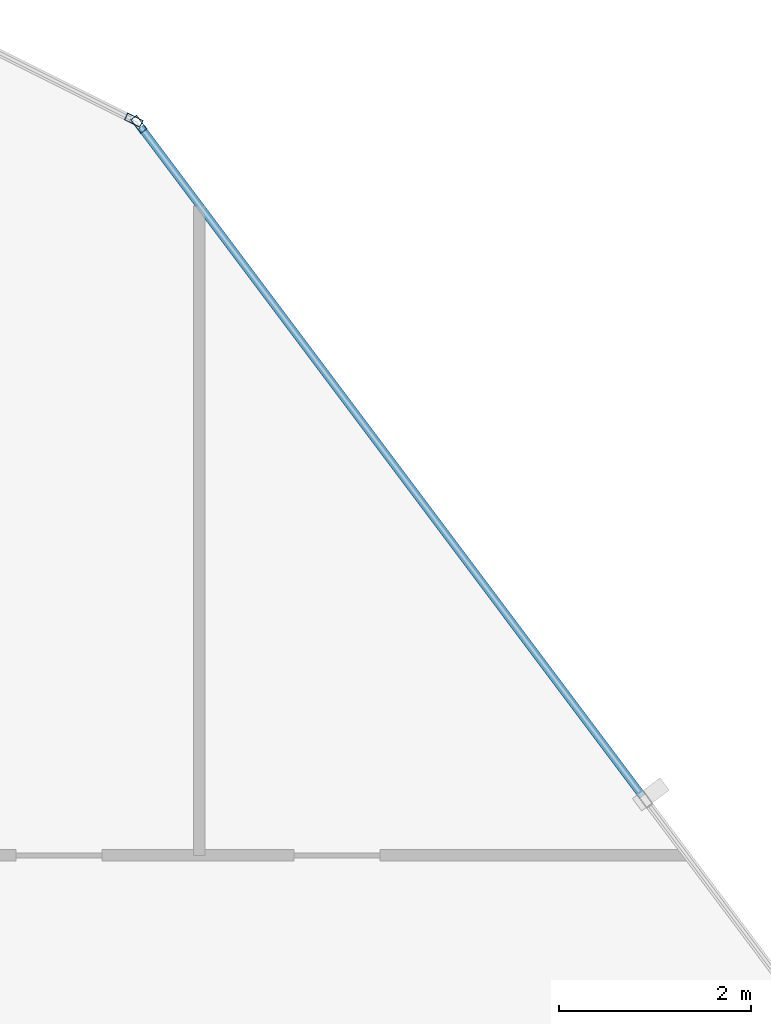
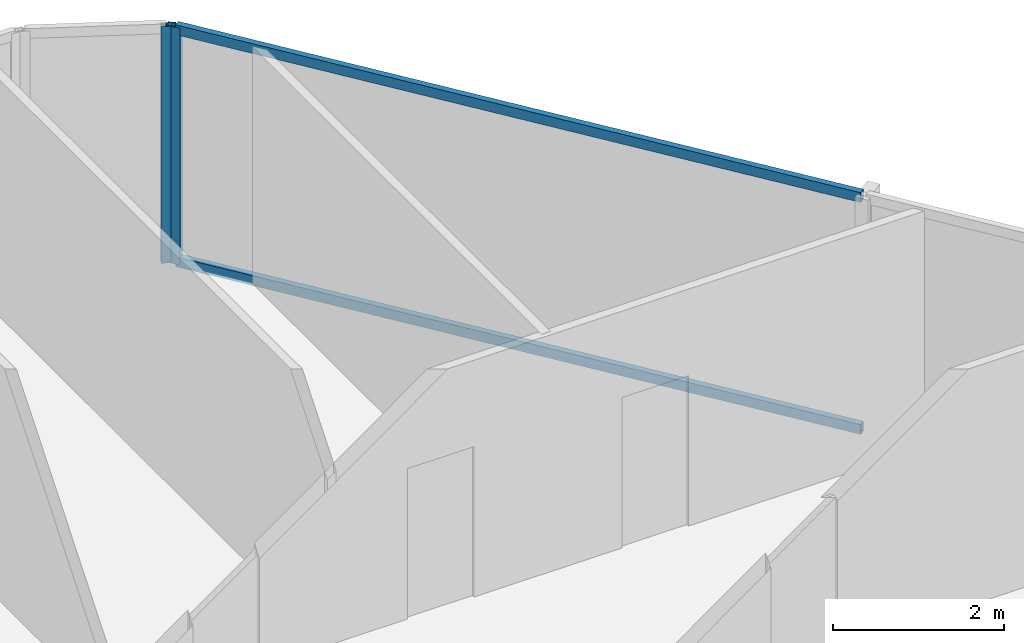
# One storey, part 22 of 31: 4 members, 2 elements without a shape of their own.
"""IFC4 building model written with IfcOpenShell, lengths in metres."""

import ifcopenshell
import ifcopenshell.guid

model = None  # the IFC model being written
_history = None  # IfcOwnerHistory: only IFC2X3 demands one
_inside = {}  # id of a spatial element -> (the spatial element, [elements in it])
_under = {}  # id of a project, library or spatial element -> (it, [spatial elements below it])
_declared = {}  # id of a project -> (the project, [libraries it declares])
_typed = {}  # id of a type object -> (the type object, [elements of that type])
_made_of = {}  # id of a material, layer set ... -> (it, [elements and type objects made of it])


def new_model(schema):
    """Start an empty IFC model of exactly this schema.

    Asked for "IFC4X3", IfcOpenShell would pick the latest addendum, in which some entities
    have other attributes; the version numbers below select the first issue.
    IFC2X3 requires an IfcOwnerHistory on every rooted entity: one is made here for all.
    """
    global model, _history
    if schema == "IFC4X3":
        model = ifcopenshell.file(schema_version=(4, 3, 0, 0))
    else:
        model = ifcopenshell.file(schema=schema)
    _inside.clear()
    _under.clear()
    _declared.clear()
    _typed.clear()
    _made_of.clear()
    _history = None
    if model.schema == "IFC2X3":
        org = make("IfcOrganization", Name="unknown")
        user = make(
            "IfcPersonAndOrganization",
            ThePerson=make("IfcPerson", FamilyName="unknown"),
            TheOrganization=org,
        )
        app = make(
            "IfcApplication",
            ApplicationDeveloper=org,
            Version="unknown",
            ApplicationFullName="unknown",
            ApplicationIdentifier="unknown",
        )
        _history = make(
            "IfcOwnerHistory",
            OwningUser=user,
            OwningApplication=app,
            ChangeAction="ADDED",
            CreationDate=0,
        )
    return model


def make(cls, **values):
    """One entity of the class cls with the attributes given. An attribute that is None is left unset."""
    return model.create_entity(
        cls, **{name: value for name, value in values.items() if value is not None}
    )


def rooted(cls, **values):
    """An entity with a GlobalId (a new one), such as an element, a storey or a relation."""
    return make(cls, GlobalId=ifcopenshell.guid.new(), OwnerHistory=_history, **values)


def si_unit(unit_type, name, prefix=None):
    """IfcSIUnit, for example si_unit("LENGTHUNIT", "METRE", prefix="MILLI")."""
    return make("IfcSIUnit", UnitType=unit_type, Prefix=prefix, Name=name)


def assignment(units):
    """IfcUnitAssignment: the units of a project."""
    return None if units is None else make("IfcUnitAssignment", Units=units)


def point(xyz):
    """IfcCartesianPoint."""
    return None if xyz is None else make("IfcCartesianPoint", Coordinates=xyz)


def direction(xyz):
    """IfcDirection."""
    return None if xyz is None else make("IfcDirection", DirectionRatios=xyz)


def frame(location, z_axis=None, x_axis=None):
    """IfcAxis2Placement3D, a coordinate frame: its origin and axes. An axis left out is left unset."""
    return make(
        "IfcAxis2Placement3D",
        Location=point(location),
        Axis=direction(z_axis),
        RefDirection=direction(x_axis),
    )


def frame_2d(location, x_axis=None):
    """IfcAxis2Placement2D, a coordinate frame in the plane: its origin and x axis."""
    return make(
        "IfcAxis2Placement2D", Location=point(location), RefDirection=direction(x_axis)
    )


def origin():
    """The frame at (0, 0, 0) with its axes left unset."""
    return frame((0.0, 0.0, 0.0))


def origin_2d():
    """The frame at (0, 0) in the plane with its x axis left unset."""
    return frame_2d((0.0, 0.0))


def place(relative_to, where):
    """IfcLocalPlacement: puts the frame where relative to a parent placement (None: the world)."""
    return make(
        "IfcLocalPlacement", PlacementRelTo=relative_to, RelativePlacement=where
    )


def context(
    kind, dimensions, precision=None, world=None, true_north=None, identifier=None
):
    """IfcGeometricRepresentationContext, for example the 3D "Model" context."""
    return make(
        "IfcGeometricRepresentationContext",
        ContextIdentifier=identifier,
        ContextType=kind,
        CoordinateSpaceDimension=dimensions,
        Precision=precision,
        WorldCoordinateSystem=world,
        TrueNorth=true_north,
    )


def subcontext(parent, identifier, kind, view, scale=None):
    """IfcGeometricRepresentationSubContext, for example "Body" below "Model"."""
    return make(
        "IfcGeometricRepresentationSubContext",
        ContextIdentifier=identifier,
        ContextType=kind,
        ParentContext=parent,
        TargetScale=scale,
        TargetView=view,
    )


def project(units=None, contexts=None):
    """IfcProject with its units and contexts."""
    return rooted(
        "IfcProject",
        Name="project",
        RepresentationContexts=contexts,
        UnitsInContext=assignment(units),
    )


def spatial(cls, under=None, at=None, **own):
    """A site, building, storey or space (cls), placed at a placement, below another one or the project."""
    s = rooted(cls, ObjectPlacement=at, **own)
    if under is not None:
        _under.setdefault(under.id(), (under, []))[1].append(s)
    return s


def profile(cls, at=None, kind="AREA", **sizes):
    """A parametric profile (cls). Its sizes go by their IFC names, for example OverallWidth=200.0."""
    return make(cls, ProfileType=kind, Position=at, **sizes)


def hollow_rectangle(**sizes):
    """IfcRectangleHollowProfileDef."""
    return profile("IfcRectangleHollowProfileDef", **sizes)


def extrude(swept, where, along, depth):
    """IfcExtrudedAreaSolid: the profile swept, set in the frame where, extruded along a direction by depth."""
    return make(
        "IfcExtrudedAreaSolid",
        SweptArea=swept,
        Position=where,
        ExtrudedDirection=direction(along),
        Depth=depth,
    )


def shape(context_of_items, identifier, shape_type, items):
    """IfcShapeRepresentation: the items that make up one representation, for example the "Body"."""
    return make(
        "IfcShapeRepresentation",
        ContextOfItems=context_of_items,
        RepresentationIdentifier=identifier,
        RepresentationType=shape_type,
        Items=items,
    )


def material(Name=None, Category=None):
    """IfcMaterial."""
    return make("IfcMaterial", Name=Name, Category=Category)


def layer(
    of_material, thickness, ventilated=None, Name=None, Category=None, Priority=None
):
    """IfcMaterialLayer: one layer of a wall or slab, of a material (None: an air gap)."""
    return make(
        "IfcMaterialLayer",
        Material=of_material,
        LayerThickness=thickness,
        IsVentilated=ventilated,
        Name=Name,
        Category=Category,
        Priority=Priority,
    )


def layer_set(layers, Name=None):
    """IfcMaterialLayerSet."""
    return make("IfcMaterialLayerSet", MaterialLayers=layers, LayerSetName=Name)


def material_profile(
    of_material, cross_section, Name=None, Category=None, Priority=None
):
    """IfcMaterialProfile: a cross section and its material."""
    return make(
        "IfcMaterialProfile",
        Name=Name,
        Material=of_material,
        Profile=cross_section,
        Priority=Priority,
        Category=Category,
    )


def profile_set(profiles, Name=None, composite=None):
    """IfcMaterialProfileSet."""
    return make(
        "IfcMaterialProfileSet",
        Name=Name,
        MaterialProfiles=profiles,
        CompositeProfile=composite,
    )


def made_of(thing, what):
    """Note that an element or type object is made of a material, layer set ...; save() writes the relation."""
    if what is not None:
        _made_of.setdefault(what.id(), (what, []))[1].append(thing)
    return thing


def type_object(cls, material=None, **own):
    """A type object (cls), such as IfcWallType, which elements share."""
    return made_of(rooted(cls, **own), material)


def element(
    cls,
    number,
    at=None,
    inside=None,
    cuts=None,
    type_object=None,
    material=None,
    context=None,
    identifier="Body",
    shape_type=None,
    held_by="IfcProductDefinitionShape",
    body=None,
    shapes=None,
    **own,
):
    """One element of the class cls, such as IfcWall. Its Tag is "e" and its number.

    at: its placement. inside: the storey or other place that contains it. cuts: it is an
    opening in that element (IfcRelVoidsElement). A single representation is given by context,
    identifier, shape_type and body (its items); several are given by shapes. held_by: the class
    of the entity that holds the representations. save() writes the other relations.
    """
    e = rooted(cls, Tag="e%d" % number, ObjectPlacement=at, **own)
    if body is not None:
        shapes = [shape(context, identifier, shape_type, body)]
    if shapes is not None:
        e.Representation = make(held_by, Representations=shapes)
    if inside is not None:
        _inside.setdefault(inside.id(), (inside, []))[1].append(e)
    if cuts is not None:
        rooted(
            "IfcRelVoidsElement", RelatingBuildingElement=cuts, RelatedOpeningElement=e
        )
    if type_object is not None:
        _typed.setdefault(type_object.id(), (type_object, []))[1].append(e)
    return made_of(e, material)


def aggregate(whole, parts):
    """IfcRelAggregates: a whole, such as a stair, and the parts it consists of."""
    return rooted("IfcRelAggregates", RelatingObject=whole, RelatedObjects=parts)


def save(model, path):
    """Write the relations noted so far, then the file.

    IfcRelAggregates (storeys below a building ...), IfcRelContainedInSpatialStructure (elements
    in a storey), IfcRelDefinesByType, IfcRelAssociatesMaterial and IfcRelDeclares: one each for
    every whole, place, type object, material and project.
    """
    for whole, parts in _under.values():
        aggregate(whole, parts)
    for where, things in _inside.values():
        rooted(
            "IfcRelContainedInSpatialStructure",
            RelatedElements=things,
            RelatingStructure=where,
        )
    for kind, things in _typed.values():
        rooted("IfcRelDefinesByType", RelatedObjects=things, RelatingType=kind)
    for what, things in _made_of.values():
        rooted("IfcRelAssociatesMaterial", RelatedObjects=things, RelatingMaterial=what)
    for by, libraries in _declared.values():
        rooted("IfcRelDeclares", RelatingContext=by, RelatedDefinitions=libraries)
    model.write(path)


model = new_model("IFC4")

# Units and contexts
model_context = context("Model", 3, precision=1e-05, world=origin(), true_north=direction((0.0, 1.0)))
body_context = subcontext(model_context, "Body", "Model", "MODEL_VIEW")
ifc_project = project(units=[si_unit("LENGTHUNIT", "METRE"), si_unit("AREAUNIT", "SQUARE_METRE"), si_unit("VOLUMEUNIT", "CUBIC_METRE"), si_unit("PLANEANGLEUNIT", "RADIAN"), si_unit("MASSUNIT", "GRAM", prefix="KILO")], contexts=[model_context])

# Site, building, storey
site_placement = place(None, origin())
site = spatial("IfcSite", under=ifc_project, at=site_placement, CompositionType="ELEMENT")
building_placement = place(site_placement, origin())
building = spatial("IfcBuilding", under=site, at=building_placement, Name="Keshet Zoharim Tower", CompositionType="ELEMENT")
storey_placement = place(building_placement, frame((0.0, 0.0, 133.5)))
storey = spatial("IfcBuildingStorey", under=building, at=storey_placement, Name="L32", CompositionType="ELEMENT", Elevation=133.5)

# Curtain wall, member
ifc_material = material(Name="Aluminium 6063-T6", Category="aluminium")
ifc_layer = layer(ifc_material, 0.159912109375)
ifc_layer_set = layer_set([ifc_layer], Name="Aluminium 6063-T6")
curtain_wall_type = type_object("IfcCurtainWallType", Name="CW-SYS-03", PredefinedType="NOTDEFINED", material=ifc_layer_set)
curtain_wall_1_placement = place(storey_placement, origin())
curtain_wall_1 = element("IfcCurtainWall", 1, at=curtain_wall_1_placement, inside=storey, type_object=curtain_wall_type, Name="L32 Unitised Curtain Wall 14", PredefinedType="NOTDEFINED")
ifc_material_profile_1 = material_profile(ifc_material, hollow_rectangle(XDim=0.080078125, YDim=0.179931640625, WallThickness=0.00439453125, at=origin_2d()), Name="MUL-80x180")
ifc_profile_set_1 = profile_set([ifc_material_profile_1], Name="Aluminium 6063-T6")
member_type_1 = type_object("IfcMemberType", Name="CWM-M18", PredefinedType="MULLION", material=ifc_profile_set_1)
member_1_placement = place(storey_placement, frame((51.568603515625, 53.11572265625, 0.0), z_axis=(0.0, 0.0, 1.0), x_axis=(0.447213595499, 0.894427191001, 0.0)))
member_1 = element("IfcMember", 2, at=member_1_placement, type_object=member_type_1, Name="CW-03 mullion 2", PredefinedType="MULLION", context=body_context, shape_type="SweptSolid", body=[
    extrude(hollow_rectangle(XDim=0.080078125, YDim=0.179931640625, WallThickness=0.00439453125, at=origin_2d()), origin(), (0.0, 0.0, 1.0), 3.385009765625),
])
aggregate(curtain_wall_1, [member_1])

# Curtain wall, members
curtain_wall_2_placement = place(storey_placement, origin())
curtain_wall_2 = element("IfcCurtainWall", 3, at=curtain_wall_2_placement, inside=storey, type_object=curtain_wall_type, Name="L32 Unitised Curtain Wall 15", PredefinedType="NOTDEFINED")
member_2_placement = place(storey_placement, frame((51.62109375, 53.072021484375, 0.0), z_axis=(0.0, 0.0, 1.0), x_axis=(0.799999999998, 0.600000000002, 0.0)))
member_2 = element("IfcMember", 4, at=member_2_placement, type_object=member_type_1, Name="CW-03 mullion 1", PredefinedType="MULLION", context=body_context, shape_type="SweptSolid", body=[
    extrude(hollow_rectangle(XDim=0.080078125, YDim=0.179931640625, WallThickness=0.00439453125, at=origin_2d()), origin(), (0.0, 0.0, 1.0), 3.385009765625),
])
ifc_material_profile_2 = material_profile(ifc_material, hollow_rectangle(XDim=0.080078125, YDim=0.139892578125, WallThickness=0.00390625, at=origin_2d()), Name="TRN-80x140")
ifc_profile_set_2 = profile_set([ifc_material_profile_2], Name="Aluminium 6063-T6")
member_type_2 = type_object("IfcMemberType", Name="CWT-T14", PredefinedType="USERDEFINED", material=ifc_profile_set_2)
member_3_placement = place(storey_placement, frame((51.64208984375, 53.0439453125, 0.034912109375), z_axis=(0.599991043201, -0.800006717521, 0.0), x_axis=(0.800006717521, 0.599991043201, 0.0)))
member_3 = element("IfcMember", 5, at=member_3_placement, type_object=member_type_2, Name="CW-03 transom 1.1", ObjectType="TRANSOM", PredefinedType="USERDEFINED", context=body_context, shape_type="SweptSolid", body=[
    extrude(hollow_rectangle(XDim=0.080078125, YDim=0.139892578125, WallThickness=0.00390625, at=origin_2d()), origin(), (0.0, 0.0, 1.0), 8.722412109375),
])
member_4_placement = place(storey_placement, frame((51.64208984375, 53.0439453125, 3.35009765625), z_axis=(0.599991043201, -0.800006717521, 0.0), x_axis=(0.800006717521, 0.599991043201, 0.0)))
member_4 = element("IfcMember", 6, at=member_4_placement, type_object=member_type_2, Name="CW-03 transom 1.2", ObjectType="TRANSOM", PredefinedType="USERDEFINED", context=body_context, shape_type="SweptSolid", body=[
    extrude(hollow_rectangle(XDim=0.080078125, YDim=0.139892578125, WallThickness=0.00390625, at=origin_2d()), origin(), (0.0, 0.0, 1.0), 8.722412109375),
])
aggregate(curtain_wall_2, [member_2, member_3, member_4])

save(model, "model.ifc")
